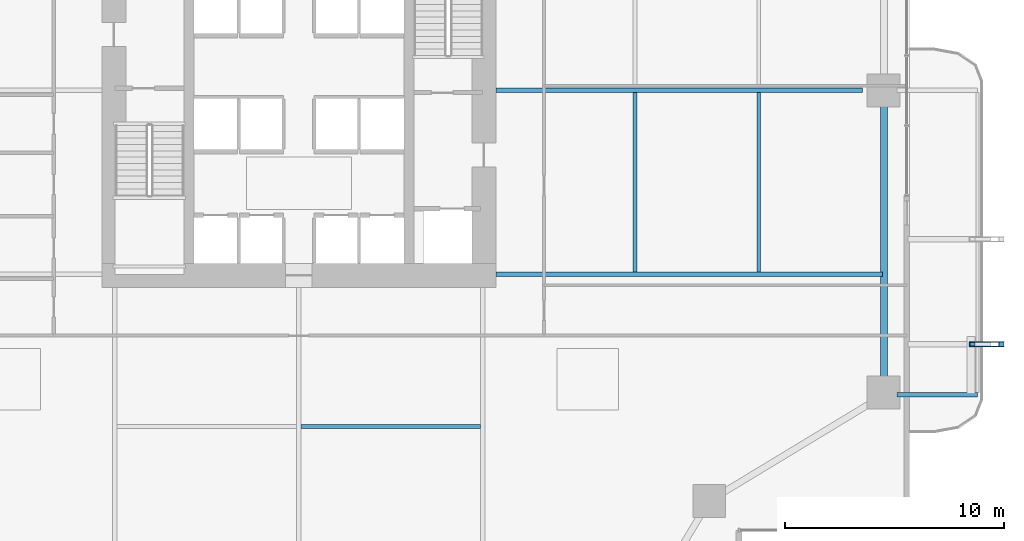
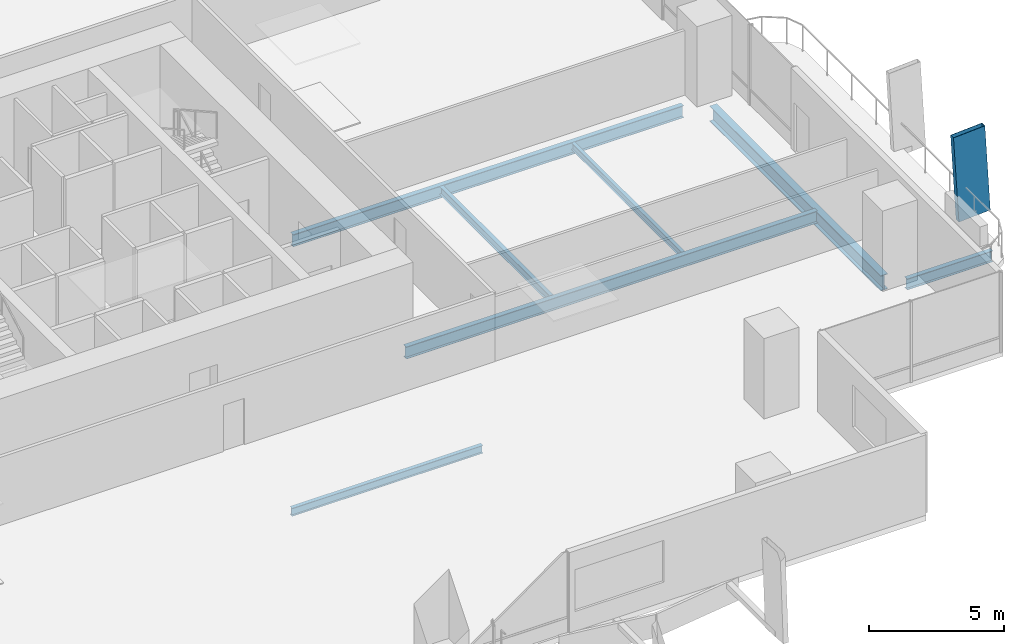
# One storey, part 11 of 30: 7 beams, 1 member.
"""IFC4 building model written with IfcOpenShell, lengths in metres."""

from ifc_helpers import new_model, si_unit, direction, frame, origin, origin_2d, place, context, subcontext, project, spatial, hollow_rectangle, i_section, extrude, material, material_profile, profile_set, type_object, element, save


model = new_model("IFC4")

# Units and contexts
model_context = context("Model", 3, precision=1e-05, world=origin(), true_north=direction((0.0, 1.0)))
body_context = subcontext(model_context, "Body", "Model", "MODEL_VIEW")
ifc_project = project(units=[si_unit("LENGTHUNIT", "METRE"), si_unit("AREAUNIT", "SQUARE_METRE"), si_unit("VOLUMEUNIT", "CUBIC_METRE"), si_unit("PLANEANGLEUNIT", "RADIAN"), si_unit("MASSUNIT", "GRAM", prefix="KILO")], contexts=[model_context])

# Site, building, storey
site_placement = place(None, origin())
site = spatial("IfcSite", under=ifc_project, at=site_placement, CompositionType="ELEMENT")
building_placement = place(site_placement, origin())
building = spatial("IfcBuilding", under=site, at=building_placement, Name="Belovzor Exchange Tower", CompositionType="ELEMENT")
storey_placement = place(building_placement, frame((0.0, 0.0, 30.0)))
storey = spatial("IfcBuildingStorey", under=building, at=storey_placement, Name="L06", CompositionType="ELEMENT", Elevation=30.0)

# Member
ifc_material_1 = material(Name="Extruded Architectural Terracotta on Steel S355 Carrier", Category="masonry")
ifc_material_profile_1 = material_profile(ifc_material_1, hollow_rectangle(XDim=0.219970703125, YDim=1.35009765625, WallThickness=0.013916015625, at=origin_2d()))
ifc_profile_set_1 = profile_set([ifc_material_profile_1], Name="Extruded Architectural Terracotta on Steel S355 Carrier")
member_type = type_object("IfcMemberType", Name="Base Arc Sweeping Terracotta Pylon Fin 1450", PredefinedType="USERDEFINED", material=ifc_profile_set_1)
member_placement = place(storey_placement, frame((60.3369140625, 17.199951171875, -0.25), z_axis=(-0.059615826389, 0.0, 0.998221394904), x_axis=(0.0, -1.0, 0.0)))
element("IfcMember", 1, at=member_placement, inside=storey, type_object=member_type, Name="FIN-TC145 Terracotta Facade Fin L06 E1", ObjectType="FIN", PredefinedType="USERDEFINED", context=body_context, shape_type="SweptSolid", body=[
    extrude(hollow_rectangle(XDim=0.219970703125, YDim=1.35009765625, WallThickness=0.013916015625, at=origin_2d()), origin(), (0.0, 0.0, 1.0), 3.90673828125),
])

# Beams
ifc_material_2 = material(Name="Steel S355", Category="steel")
ifc_material_profile_2 = material_profile(ifc_material_2, i_section(OverallWidth=0.199951171875, OverallDepth=0.5, WebThickness=0.01025390625, FlangeThickness=0.01611328125, at=origin_2d()))
ifc_profile_set_2 = profile_set([ifc_material_profile_2], Name="Steel S355")
beam_type_1 = type_object("IfcBeamType", Name="Planted Balcony Cantilever Beam IPE 500", PredefinedType="BEAM", material=ifc_profile_set_2)
beam_1_placement = place(storey_placement, frame((56.1298828125, 14.89990234375, -0.5), z_axis=(1.0, 0.0, 0.0), x_axis=(0.0, 1.0, 0.0)))
element("IfcBeam", 2, at=beam_1_placement, inside=storey, type_object=beam_type_1, Name="BC-500 Planted Balcony Cantilever Beam IPE 500", PredefinedType="BEAM", context=body_context, shape_type="SweptSolid", body=[
    extrude(i_section(OverallWidth=0.199951171875, OverallDepth=0.5, WebThickness=0.01025390625, FlangeThickness=0.01611328125, at=origin_2d()), origin(), (0.0, 0.0, 1.0), 3.670166015625),
])
ifc_material_3 = material(Name="Steel S355", Category="steel")
ifc_material_profile_3 = material_profile(ifc_material_3, i_section(OverallWidth=0.169921875, OverallDepth=0.360107421875, WebThickness=0.008056640625, FlangeThickness=0.0126953125, at=origin_2d()))
ifc_profile_set_3 = profile_set([ifc_material_profile_3], Name="Steel S355")
beam_type_2 = type_object("IfcBeamType", Name="Secondary Infill Floor Joist IPE 360", PredefinedType="BEAM", material=ifc_profile_set_3)
beam_2_placement = place(storey_placement, frame((28.905029296875, 13.444091796875, -0.429931640625), z_axis=(1.0, 0.0, 0.0), x_axis=(0.0, 1.0, 0.0)))
element("IfcBeam", 3, at=beam_2_placement, inside=storey, type_object=beam_type_2, Name="FJ-360 Secondary Infill Floor Joist IPE 360", PredefinedType="BEAM", context=body_context, shape_type="SweptSolid", body=[
    extrude(i_section(OverallWidth=0.169921875, OverallDepth=0.360107421875, WebThickness=0.008056640625, FlangeThickness=0.0126953125, at=origin_2d()), origin(), (0.0, 0.0, 1.0), 8.18994140625),
])
beam_3_placement = place(storey_placement, frame((44.156005859375, 20.5048828125, -0.429931640625), z_axis=(0.0, 1.0, 0.0), x_axis=(-1.0, 0.0, 0.0)))
element("IfcBeam", 4, at=beam_3_placement, inside=storey, type_object=beam_type_2, Name="FJ-360 Secondary Infill Floor Joist IPE 360", PredefinedType="BEAM", context=body_context, shape_type="SweptSolid", body=[
    extrude(i_section(OverallWidth=0.169921875, OverallDepth=0.360107421875, WebThickness=0.008056640625, FlangeThickness=0.0126953125, at=origin_2d()), origin(), (0.0, 0.0, 1.0), 8.190185546875),
])
ifc_material_4 = material(Name="Steel S355", Category="steel")
ifc_material_profile_4 = material_profile(ifc_material_4, i_section(OverallWidth=0.14990234375, OverallDepth=0.300048828125, WebThickness=0.007080078125, FlangeThickness=0.0107421875, at=origin_2d()))
ifc_profile_set_4 = profile_set([ifc_material_profile_4], Name="Steel S355")
beam_type_3 = type_object("IfcBeamType", Name="Secondary Trim Floor Joist IPE 300", PredefinedType="BEAM", material=ifc_profile_set_4)
beam_4_placement = place(storey_placement, frame((49.804931640625, 20.5048828125, -0.39990234375), z_axis=(0.0, 1.0, 0.0), x_axis=(-1.0, 0.0, 0.0)))
element("IfcBeam", 5, at=beam_4_placement, inside=storey, type_object=beam_type_3, Name="FJ-300 Secondary Trim Floor Joist IPE 300", PredefinedType="BEAM", context=body_context, shape_type="SweptSolid", body=[
    extrude(i_section(OverallWidth=0.14990234375, OverallDepth=0.300048828125, WebThickness=0.007080078125, FlangeThickness=0.0107421875, at=origin_2d()), origin(), (0.0, 0.0, 1.0), 8.190185546875),
])
ifc_material_5 = material(Name="Steel S355", Category="steel")
ifc_material_profile_5 = material_profile(ifc_material_5, i_section(OverallWidth=0.300048828125, OverallDepth=0.699951171875, WebThickness=0.01708984375, FlangeThickness=0.031982421875, at=origin_2d()))
ifc_profile_set_5 = profile_set([ifc_material_profile_5], Name="Steel S355")
beam_type_4 = type_object("IfcBeamType", Name="Zone 1 Primary Perimeter Girder HEB 700", PredefinedType="BEAM", material=ifc_profile_set_5)
beam_5_placement = place(storey_placement, frame((55.530029296875, 15.485107421875, -0.60009765625), z_axis=(0.0, 1.0, 0.0), x_axis=(-1.0, 0.0, 0.0)))
element("IfcBeam", 6, at=beam_5_placement, inside=storey, type_object=beam_type_4, Name="FG-Z1 Zone 1 Primary Perimeter Girder HEB 700", PredefinedType="BEAM", context=body_context, shape_type="SweptSolid", body=[
    extrude(i_section(OverallWidth=0.300048828125, OverallDepth=0.699951171875, WebThickness=0.01708984375, FlangeThickness=0.031982421875, at=origin_2d()), origin(), (0.0, 0.0, 1.0), 12.7099609375),
])
ifc_material_6 = material(Name="Steel S355", Category="steel")
ifc_material_profile_6 = material_profile(ifc_material_6, i_section(OverallWidth=0.2099609375, OverallDepth=0.550048828125, WebThickness=0.010986328125, FlangeThickness=0.01708984375, at=origin_2d()))
ifc_profile_set_6 = profile_set([ifc_material_profile_6], Name="Steel S355")
beam_type_5 = type_object("IfcBeamType", Name="Zone 1 Radial Composite Floor Beam IPE 550", PredefinedType="BEAM", material=ifc_profile_set_6)
beam_6_placement = place(storey_placement, frame((37.800048828125, 20.39990234375, -0.52490234375), z_axis=(1.0, 0.0, 0.0), x_axis=(0.0, 1.0, 0.0)))
element("IfcBeam", 7, at=beam_6_placement, inside=storey, type_object=beam_type_5, Name="FB-550 Zone 1 Radial Composite Floor Beam IPE 550", PredefinedType="BEAM", context=body_context, shape_type="SweptSolid", body=[
    extrude(i_section(OverallWidth=0.2099609375, OverallDepth=0.550048828125, WebThickness=0.010986328125, FlangeThickness=0.01708984375, at=origin_2d()), origin(), (0.0, 0.0, 1.0), 17.655029296875),
])
beam_7_placement = place(storey_placement, frame((37.800048828125, 28.800048828125, -0.52490234375), z_axis=(1.0, 0.0, 0.0), x_axis=(0.0, 1.0, 0.0)))
element("IfcBeam", 8, at=beam_7_placement, inside=storey, type_object=beam_type_5, Name="FB-550 Zone 1 Radial Composite Floor Beam IPE 550", PredefinedType="BEAM", context=body_context, shape_type="SweptSolid", body=[
    extrude(i_section(OverallWidth=0.2099609375, OverallDepth=0.550048828125, WebThickness=0.010986328125, FlangeThickness=0.01708984375, at=origin_2d()), origin(), (0.0, 0.0, 1.0), 16.758056640625),
])

save(model, "model.ifc")
